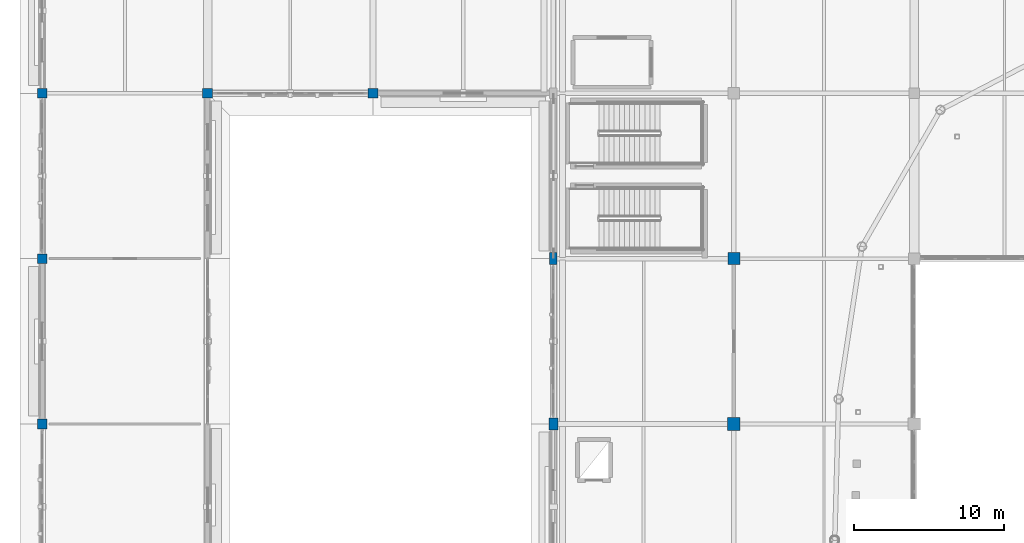
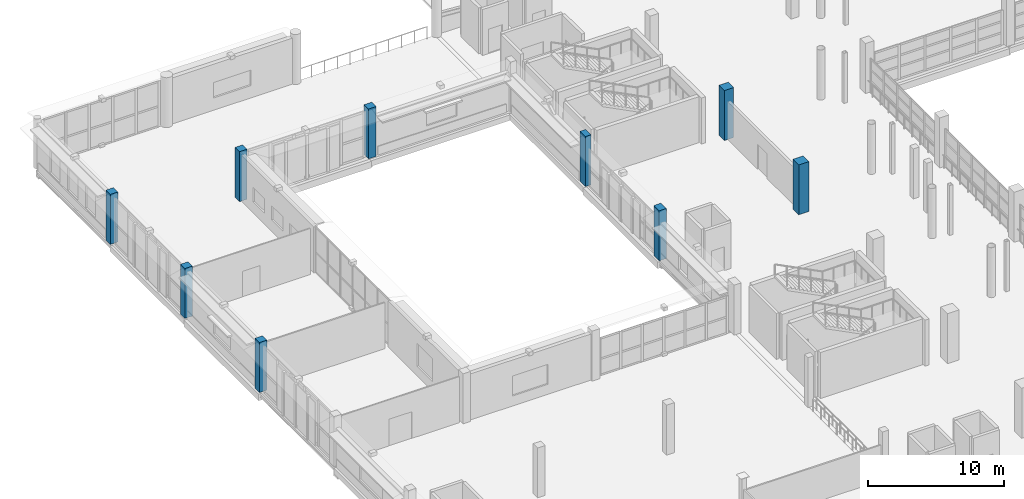
# One storey, part 8 of 118: 9 columns.
"""IFC4 building model written with IfcOpenShell, lengths in metres."""

from ifc_helpers import new_model, si_unit, direction, frame, origin, origin_2d, place, context, subcontext, project, spatial, rectangle, extrude, material, material_profile, profile_set, type_object, element, save


model = new_model("IFC4")

# Units and contexts
model_context = context("Model", 3, precision=1e-05, world=origin(), true_north=direction((0.0, 1.0)))
body_context = subcontext(model_context, "Body", "Model", "MODEL_VIEW")
ifc_project = project(units=[si_unit("LENGTHUNIT", "METRE"), si_unit("AREAUNIT", "SQUARE_METRE"), si_unit("VOLUMEUNIT", "CUBIC_METRE"), si_unit("PLANEANGLEUNIT", "RADIAN"), si_unit("MASSUNIT", "GRAM", prefix="KILO")], contexts=[model_context])

# Site, building, storey
site_placement = place(None, origin())
site = spatial("IfcSite", under=ifc_project, at=site_placement, CompositionType="ELEMENT")
building_placement = place(site_placement, origin())
building = spatial("IfcBuilding", under=site, at=building_placement, Name="Luwafu Chhajja Arena", CompositionType="ELEMENT")
storey_placement = place(building_placement, frame((0.0, 0.0, 10.199951171875)))
storey = spatial("IfcBuildingStorey", under=building, at=storey_placement, Name="L02", CompositionType="ELEMENT", Elevation=10.199951171875)

# Columns
ifc_material_1 = material(Name="Concrete C35/45", Category="concrete")
ifc_material_profile_1 = material_profile(ifc_material_1, rectangle(XDim=0.5, YDim=0.800048828125, at=origin_2d()), Name="RC 500x800")
ifc_profile_set_1 = profile_set([ifc_material_profile_1], Name="Concrete C35/45")
column_type_1 = type_object("IfcColumnType", Name="BOH Frame Column RC 500x800", PredefinedType="COLUMN", material=ifc_profile_set_1)
column_1_placement = place(storey_placement, frame((34.0, 77.0, 0.0), z_axis=(0.0, 0.0, 1.0), x_axis=(1.0, 0.0, 0.0)))
element("IfcColumn", 1, at=column_1_placement, inside=storey, type_object=column_type_1, Name="L02 Grid Column 4/H", PredefinedType="COLUMN", context=body_context, shape_type="SweptSolid", body=[
    extrude(rectangle(XDim=0.5, YDim=0.800048828125, at=origin_2d()), origin(), (0.0, 0.0, 1.0), 4.5),
])
ifc_material_profile_2 = material_profile(ifc_material_1, rectangle(XDim=0.85009765625, YDim=0.85009765625, at=origin_2d()), Name="RC 850x850")
ifc_profile_set_2 = profile_set([ifc_material_profile_2], Name="Concrete C35/45")
column_type_2 = type_object("IfcColumnType", Name="Concourse Heavy Column RC 850", PredefinedType="COLUMN", material=ifc_profile_set_2)
column_2_placement = place(storey_placement, frame((46.0, 66.0, 0.0), z_axis=(0.0, 0.0, 1.0), x_axis=(1.0, 0.0, 0.0)))
element("IfcColumn", 2, at=column_2_placement, inside=storey, type_object=column_type_2, Name="L02 Grid Column 5/G", PredefinedType="COLUMN", context=body_context, shape_type="SweptSolid", body=[
    extrude(rectangle(XDim=0.85009765625, YDim=0.85009765625, at=origin_2d()), origin(), (0.0, 0.0, 1.0), 4.5),
])
ifc_material_profile_3 = material_profile(ifc_material_1, rectangle(XDim=0.800048828125, YDim=0.800048828125, at=origin_2d()), Name="RC 800x800")
ifc_profile_set_3 = profile_set([ifc_material_profile_3], Name="Concrete C35/45")
column_type_3 = type_object("IfcColumnType", Name="Concourse Standard Column RC 800", PredefinedType="COLUMN", material=ifc_profile_set_3)
column_3_placement = place(storey_placement, frame((46.0, 77.0, 0.0), z_axis=(0.0, 0.0, 1.0), x_axis=(1.0, 0.0, 0.0)))
element("IfcColumn", 3, at=column_3_placement, inside=storey, type_object=column_type_3, Name="L02 Grid Column 5/H", PredefinedType="COLUMN", context=body_context, shape_type="SweptSolid", body=[
    extrude(rectangle(XDim=0.800048828125, YDim=0.800048828125, at=origin_2d()), origin(), (0.0, 0.0, 1.0), 4.5),
])
ifc_material_2 = material(Name="Concrete C40/50", Category="concrete")
ifc_material_profile_4 = material_profile(ifc_material_2, rectangle(XDim=0.60009765625, YDim=0.800048828125, at=origin_2d()), Name="RC 600x800")
ifc_profile_set_4 = profile_set([ifc_material_profile_4], Name="Concrete C40/50")
column_type_4 = type_object("IfcColumnType", Name="Pishtaq Pier Column RC 600x800", PredefinedType="COLUMN", material=ifc_profile_set_4)
column_4_placement = place(storey_placement, frame((34.0, 66.0, 0.0), z_axis=(0.0, 0.0, 1.0), x_axis=(1.0, 0.0, 0.0)))
element("IfcColumn", 4, at=column_4_placement, inside=storey, type_object=column_type_4, Name="L02 Grid Column 4/G", PredefinedType="COLUMN", context=body_context, shape_type="SweptSolid", body=[
    extrude(rectangle(XDim=0.60009765625, YDim=0.800048828125, at=origin_2d()), origin(), (0.0, 0.0, 1.0), 4.5),
])
ifc_material_profile_5 = material_profile(ifc_material_1, rectangle(XDim=0.64990234375, YDim=0.64990234375, at=origin_2d()), Name="RC 650x650")
ifc_profile_set_5 = profile_set([ifc_material_profile_5], Name="Concrete C35/45")
column_type_5 = type_object("IfcColumnType", Name="Upper Wing Column RC 650", PredefinedType="COLUMN", material=ifc_profile_set_5)
for number, where, z_axis, x_axis, name in (
    (5, (0.0, 66.0, 0.0), (0.0, 0.0, 1.0), (1.0, 0.0, 0.0), "L02 Grid Column 1/G"),
    (6, (0.0, 77.0, 0.0), (0.0, 0.0, 1.0), (1.0, 0.0, 0.0), "L02 Grid Column 1/H"),
    (7, (0.0, 88.0, 0.0), (0.0, 0.0, 1.0), (1.0, 0.0, 0.0), "L02 Grid Column 1/J"),
    (8, (11.0, 88.0, 0.0), (0.0, 0.0, 1.0), (1.0, 0.0, 0.0), "L02 Grid Column 2/J"),
    (9, (22.0, 88.0, 0.0), (0.0, 0.0, 1.0), (1.0, 0.0, 0.0), "L02 Grid Column 3/J"),
):
    element("IfcColumn", number, at=place(storey_placement, frame(where, z_axis=z_axis, x_axis=x_axis)), inside=storey, type_object=column_type_5, Name=name, PredefinedType="COLUMN", context=body_context, shape_type="SweptSolid", body=[
        extrude(rectangle(XDim=0.64990234375, YDim=0.64990234375, at=origin_2d()), origin(), (0.0, 0.0, 1.0), 4.5),
    ])

save(model, "model.ifc")
